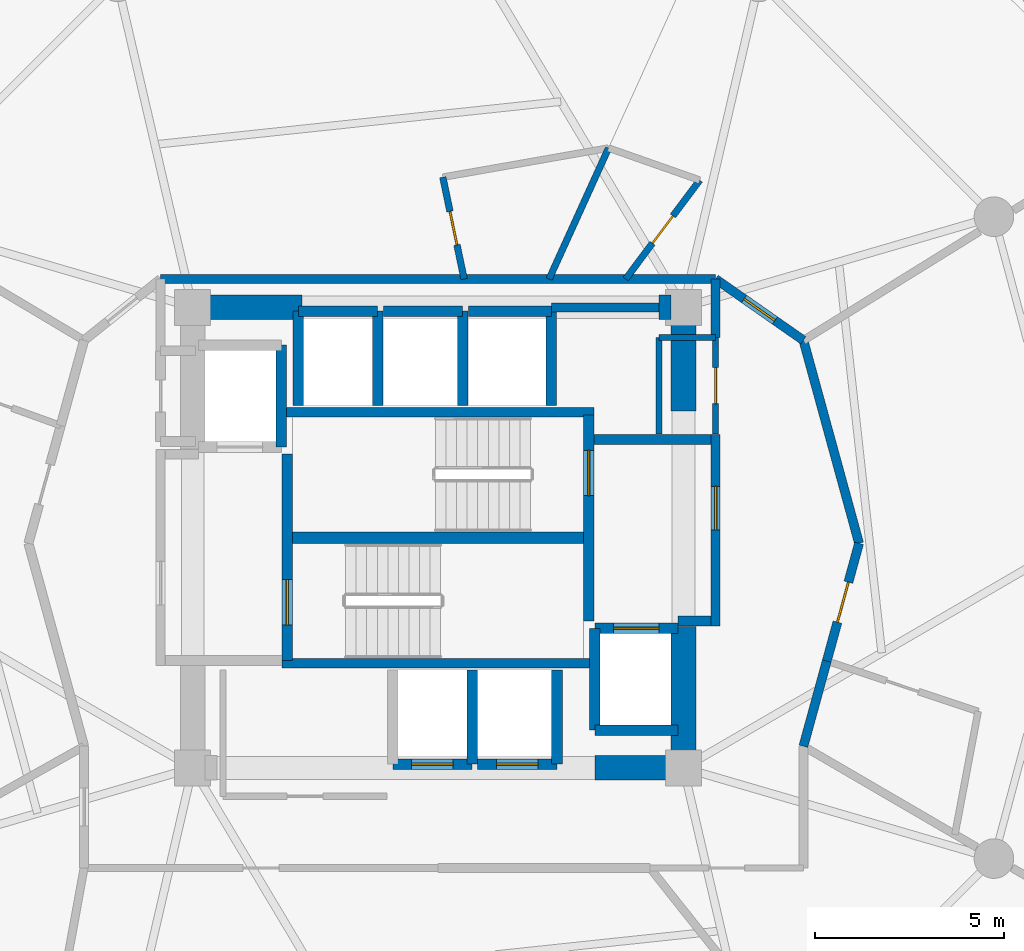
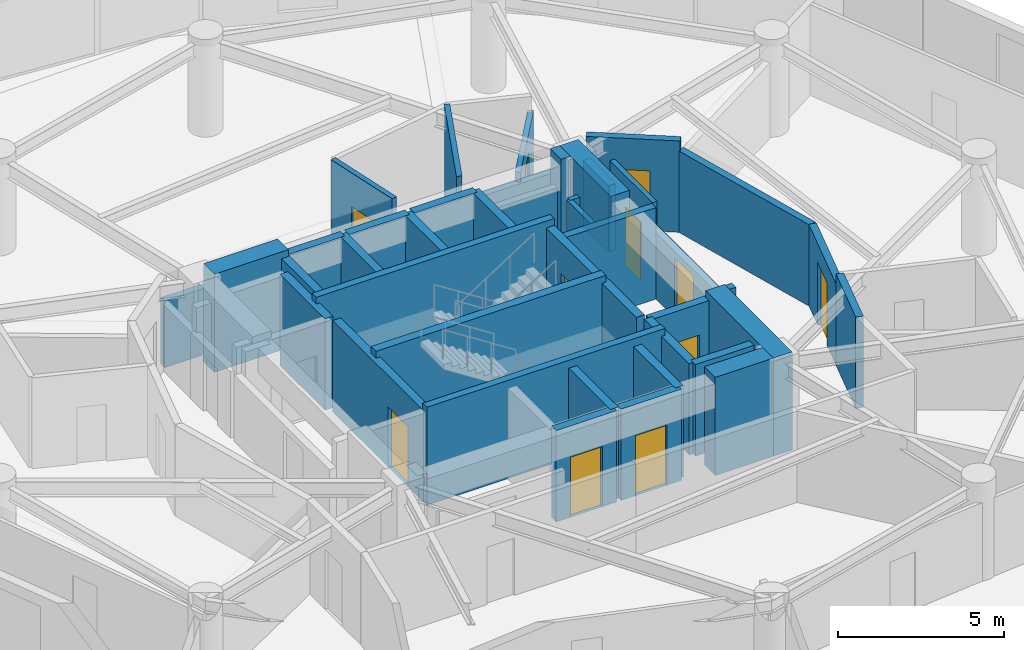
# One storey, part 19 of 22: 41 walls, 11 doors, 11 openings.
"""IFC4 building model written with IfcOpenShell, lengths in metres."""

from ifc_helpers import new_model, si_unit, direction, frame, frame_2d, origin, place, context, subcontext, project, spatial, rectangle, extrude, material, layer, layer_set, type_object, element, fill, save


model = new_model("IFC4")

# Units and contexts
model_context = context("Model", 3, precision=1e-05, world=origin(), true_north=direction((0.0, 1.0)))
body_context = subcontext(model_context, "Body", "Model", "MODEL_VIEW")
ifc_project = project(units=[si_unit("LENGTHUNIT", "METRE"), si_unit("AREAUNIT", "SQUARE_METRE"), si_unit("VOLUMEUNIT", "CUBIC_METRE"), si_unit("PLANEANGLEUNIT", "RADIAN"), si_unit("MASSUNIT", "GRAM", prefix="KILO")], contexts=[model_context])

# Site, building, storey
site_placement = place(None, origin())
site = spatial("IfcSite", under=ifc_project, at=site_placement, CompositionType="ELEMENT")
building_placement = place(site_placement, origin())
building = spatial("IfcBuilding", under=site, at=building_placement, Name="Solvirekh Grand Hotel", CompositionType="ELEMENT")
storey_placement = place(building_placement, frame((0.0, 0.0, 145.800048828125)))
storey = spatial("IfcBuildingStorey", under=building, at=storey_placement, Name="L37", CompositionType="ELEMENT", Elevation=145.800048828125)

# Walls
ifc_material_1 = material(Name="Concrete C50/60", Category="concrete")
ifc_layer_1 = layer(ifc_material_1, 0.35009765625)
ifc_layer_set_1 = layer_set([ifc_layer_1], Name="Concrete C50/60")
wall_type_1 = type_object("IfcWallType", Name="CoreDivWall_RC350", PredefinedType="SOLIDWALL", material=ifc_layer_set_1)
for number, where, z_axis, x_axis, name in (
    (1, (-4.1298828125, -3.324951171875, 0.0), (0.0, 0.0, 1.0), (1.0, 0.0, 0.0), "L37 core stair box wall ST-S"),
    (2, (-4.1298828125, 3.324951171875, 0.0), (0.0, 0.0, 1.0), (1.0, 0.0, 0.0), "L37 core stair box wall ST-N"),
):
    element("IfcWall", number, at=place(storey_placement, frame(where, z_axis=z_axis, x_axis=x_axis)), inside=storey, type_object=wall_type_1, Name=name, PredefinedType="SOLIDWALL", context=body_context, shape_type="SweptSolid", body=[
        extrude(rectangle(XDim=8.259765625, YDim=0.25, at=frame_2d((4.1298828125, 0.0))), origin(), (0.0, 0.0, 1.0), 3.599853515625),
    ])

# Wall, opening, door
ifc_material_2 = material(Name="Concrete C40/50", Category="concrete")
ifc_layer_2 = layer(ifc_material_2, 0.280029296875)
ifc_layer_set_2 = layer_set([ifc_layer_2], Name="Concrete C40/50")
wall_type_2 = type_object("IfcWallType", Name="CoreShaftWall_RC280", PredefinedType="SOLIDWALL", material=ifc_layer_set_2)
wall_1_placement = place(storey_placement, frame((-1.199951171875, -6.0, 0.0), z_axis=(0.0, 0.0, 1.0), x_axis=(1.0, 0.0, 0.0)))
wall_1 = element("IfcWall", 3, at=wall_1_placement, inside=storey, type_object=wall_type_2, Name="L37 MP-1 hoistway S wall", PredefinedType="SOLIDWALL", context=body_context, shape_type="SweptSolid", body=[
    extrude(rectangle(XDim=2.099853515625, YDim=0.280029296875, at=frame_2d((1.0498046875, 0.0))), origin(), (0.0, 0.0, 1.0), 3.349853515625),
])
opening_1_placement = place(wall_1_placement, frame((0.5, 0.0, 0.0)))
opening_1 = element("IfcOpeningElement", 4, at=opening_1_placement, cuts=wall_1, Name="Opening LD01", PredefinedType="OPENING", context=body_context, shape_type="SweptSolid", body=[
    extrude(rectangle(XDim=1.10009765625, YDim=2.199951171875, at=frame_2d((0.550048828125, 1.10009765625))), frame((0.0, 0.14990234375, 0.0), z_axis=(0.0, -1.0, 0.0), x_axis=(1.0, 0.0, 0.0)), (0.0, 0.0, 1.0), 0.300048828125),
])
ifc_material_3 = material(Name="Fire-Rated Steel Door Assembly", Category="steel")
door_type_1 = type_object("IfcDoorType", Name="Door_LiftLanding_1100X2200", OperationType="SLIDING_TO_LEFT", PredefinedType="DOOR", material=ifc_material_3)
door_1_placement = place(opening_1_placement, origin())
door_1 = element("IfcDoor", 5, at=door_1_placement, inside=storey, type_object=door_type_1, Name="L37 MP-1 sliding lift landing door", OperationType="SLIDING_TO_LEFT", OverallHeight=2.199951171875, OverallWidth=1.10009765625, PredefinedType="DOOR", context=body_context, shape_type="SweptSolid", body=[
    extrude(rectangle(XDim=1.10009765625, YDim=2.199951171875, at=frame_2d((0.550048828125, 1.10009765625))), frame((0.0, 0.02490234375, 0.0), z_axis=(0.0, -1.0, 0.0), x_axis=(1.0, 0.0, 0.0)), (0.0, 0.0, 1.0), 0.050048828125),
])
fill(opening_1, door_1)

# Wall
wall_2_placement = place(storey_placement, frame((0.89990234375, -6.0, 0.0), z_axis=(0.0, 0.0, 1.0), x_axis=(0.0, 1.0, 0.0)))
element("IfcWall", 6, at=wall_2_placement, inside=storey, type_object=wall_type_2, Name="L37 MP-1 hoistway E wall", PredefinedType="SOLIDWALL", context=body_context, shape_type="SweptSolid", body=[
    extrude(rectangle(XDim=2.5, YDim=0.280029296875, at=frame_2d((1.25, 0.0))), origin(), (0.0, 0.0, 1.0), 3.349853515625),
])

# Wall, opening, door
wall_3_placement = place(storey_placement, frame((1.050048828125, -6.0, 0.0), z_axis=(0.0, 0.0, 1.0), x_axis=(1.0, 0.0, 0.0)))
wall_3 = element("IfcWall", 7, at=wall_3_placement, inside=storey, type_object=wall_type_2, Name="L37 MP-2 hoistway S wall", PredefinedType="SOLIDWALL", context=body_context, shape_type="SweptSolid", body=[
    extrude(rectangle(XDim=2.099853515625, YDim=0.280029296875, at=frame_2d((1.0498046875, 0.0))), origin(), (0.0, 0.0, 1.0), 3.349853515625),
])
opening_2_placement = place(wall_3_placement, frame((0.5, 0.0, 0.0)))
opening_2 = element("IfcOpeningElement", 8, at=opening_2_placement, cuts=wall_3, Name="Opening LD01", PredefinedType="OPENING", context=body_context, shape_type="SweptSolid", body=[
    extrude(rectangle(XDim=1.10009765625, YDim=2.199951171875, at=frame_2d((0.550048828125, 1.10009765625))), frame((0.0, 0.14990234375, 0.0), z_axis=(0.0, -1.0, 0.0), x_axis=(1.0, 0.0, 0.0)), (0.0, 0.0, 1.0), 0.300048828125),
])
door_2_placement = place(opening_2_placement, origin())
door_2 = element("IfcDoor", 9, at=door_2_placement, inside=storey, type_object=door_type_1, Name="L37 MP-2 sliding lift landing door", OperationType="SLIDING_TO_LEFT", OverallHeight=2.199951171875, OverallWidth=1.10009765625, PredefinedType="DOOR", context=body_context, shape_type="SweptSolid", body=[
    extrude(rectangle(XDim=1.10009765625, YDim=2.199951171875, at=frame_2d((0.550048828125, 1.10009765625))), frame((0.0, 0.02490234375, 0.0), z_axis=(0.0, -1.0, 0.0), x_axis=(1.0, 0.0, 0.0)), (0.0, 0.0, 1.0), 0.050048828125),
])
fill(opening_2, door_2)

# Walls
wall_4_placement = place(storey_placement, frame((3.14990234375, -6.0, 0.0), z_axis=(0.0, 0.0, 1.0), x_axis=(0.0, 1.0, 0.0)))
element("IfcWall", 10, at=wall_4_placement, inside=storey, type_object=wall_type_2, Name="L37 MP-2 hoistway E wall", PredefinedType="SOLIDWALL", context=body_context, shape_type="SweptSolid", body=[
    extrude(rectangle(XDim=2.5, YDim=0.280029296875, at=frame_2d((1.25, 0.0))), origin(), (0.0, 0.0, 1.0), 3.349853515625),
])
wall_5_placement = place(storey_placement, frame((-1.60009765625, 6.0, 0.0), z_axis=(0.0, 0.0, 1.0), x_axis=(-1.0, 0.0, 0.0)))
element("IfcWall", 11, at=wall_5_placement, inside=storey, type_object=wall_type_2, Name="L37 HP-1 hoistway N wall", PredefinedType="SOLIDWALL", context=body_context, shape_type="SweptSolid", body=[
    extrude(rectangle(XDim=2.099853515625, YDim=0.280029296875, at=frame_2d((1.0498046875, 0.0))), origin(), (0.0, 0.0, 1.0), 3.349853515625),
])
for number, where, z_axis, x_axis, name in (
    (12, (-3.699951171875, 6.0, 0.0), (0.0, 0.0, 1.0), (0.0, -1.0, 0.0), "L37 HP-1 hoistway W wall"),
    (13, (-1.60009765625, 3.5, 0.0), (0.0, 0.0, 1.0), (0.0, 1.0, 0.0), "L37 HP-1 hoistway E wall"),
):
    element("IfcWall", number, at=place(storey_placement, frame(where, z_axis=z_axis, x_axis=x_axis)), inside=storey, type_object=wall_type_2, Name=name, PredefinedType="SOLIDWALL", context=body_context, shape_type="SweptSolid", body=[
        extrude(rectangle(XDim=2.5, YDim=0.280029296875, at=frame_2d((1.25, 0.0))), origin(), (0.0, 0.0, 1.0), 3.349853515625),
    ])
wall_6_placement = place(storey_placement, frame((0.64990234375, 6.0, 0.0), z_axis=(0.0, 0.0, 1.0), x_axis=(-1.0, 0.0, 0.0)))
element("IfcWall", 14, at=wall_6_placement, inside=storey, type_object=wall_type_2, Name="L37 HP-2 hoistway N wall", PredefinedType="SOLIDWALL", context=body_context, shape_type="SweptSolid", body=[
    extrude(rectangle(XDim=2.099853515625, YDim=0.280029296875, at=frame_2d((1.0498046875, 0.0))), origin(), (0.0, 0.0, 1.0), 3.349853515625),
])
wall_7_placement = place(storey_placement, frame((0.64990234375, 3.5, 0.0), z_axis=(0.0, 0.0, 1.0), x_axis=(0.0, 1.0, 0.0)))
element("IfcWall", 15, at=wall_7_placement, inside=storey, type_object=wall_type_2, Name="L37 HP-2 hoistway E wall", PredefinedType="SOLIDWALL", context=body_context, shape_type="SweptSolid", body=[
    extrude(rectangle(XDim=2.5, YDim=0.280029296875, at=frame_2d((1.25, 0.0))), origin(), (0.0, 0.0, 1.0), 3.349853515625),
])
wall_8_placement = place(storey_placement, frame((3.0, 6.0, 0.0), z_axis=(0.0, 0.0, 1.0), x_axis=(-1.0, 0.0, 0.0)))
element("IfcWall", 16, at=wall_8_placement, inside=storey, type_object=wall_type_2, Name="L37 EX-1 hoistway N wall", PredefinedType="SOLIDWALL", context=body_context, shape_type="SweptSolid", body=[
    extrude(rectangle(XDim=2.199951171875, YDim=0.280029296875, at=frame_2d((1.10009765625, 0.0))), origin(), (0.0, 0.0, 1.0), 3.349853515625),
])
wall_9_placement = place(storey_placement, frame((3.0, 3.5, 0.0), z_axis=(0.0, 0.0, 1.0), x_axis=(0.0, 1.0, 0.0)))
element("IfcWall", 17, at=wall_9_placement, inside=storey, type_object=wall_type_2, Name="L37 EX-1 hoistway E wall", PredefinedType="SOLIDWALL", context=body_context, shape_type="SweptSolid", body=[
    extrude(rectangle(XDim=2.5, YDim=0.280029296875, at=frame_2d((1.25, 0.0))), origin(), (0.0, 0.0, 1.0), 3.349853515625),
])
wall_10_placement = place(storey_placement, frame((-4.14990234375, 2.39990234375, 0.0), z_axis=(0.0, 0.0, 1.0), x_axis=(0.0, 1.0, 0.0)))
element("IfcWall", 18, at=wall_10_placement, inside=storey, type_object=wall_type_2, Name="L37 FL-1 hoistway E wall", PredefinedType="SOLIDWALL", context=body_context, shape_type="SweptSolid", body=[
    extrude(rectangle(XDim=2.7001953125, YDim=0.280029296875, at=frame_2d((1.35009765625, 0.0))), origin(), (0.0, 0.0, 1.0), 3.349853515625),
])
wall_11_placement = place(storey_placement, frame((4.14990234375, -5.10009765625, 0.0), z_axis=(0.0, 0.0, 1.0), x_axis=(1.0, 0.0, 0.0)))
element("IfcWall", 19, at=wall_11_placement, inside=storey, type_object=wall_type_2, Name="L37 FL-2 hoistway S wall", PredefinedType="SOLIDWALL", context=body_context, shape_type="SweptSolid", body=[
    extrude(rectangle(XDim=2.2001953125, YDim=0.280029296875, at=frame_2d((1.10009765625, 0.0))), origin(), (0.0, 0.0, 1.0), 3.349853515625),
])

# Wall, opening, door
wall_12_placement = place(storey_placement, frame((6.35009765625, -2.39990234375, 0.0), z_axis=(0.0, 0.0, 1.0), x_axis=(-1.0, 0.0, 0.0)))
wall_12 = element("IfcWall", 20, at=wall_12_placement, inside=storey, type_object=wall_type_2, Name="L37 FL-2 hoistway N wall", PredefinedType="SOLIDWALL", context=body_context, shape_type="SweptSolid", body=[
    extrude(rectangle(XDim=2.2001953125, YDim=0.280029296875, at=frame_2d((1.10009765625, 0.0))), origin(), (0.0, 0.0, 1.0), 3.349853515625),
])
opening_3_placement = place(wall_12_placement, frame((0.5, 0.0, 0.0)))
opening_3 = element("IfcOpeningElement", 21, at=opening_3_placement, cuts=wall_12, Name="Opening LD02", PredefinedType="OPENING", context=body_context, shape_type="SweptSolid", body=[
    extrude(rectangle(XDim=1.199951171875, YDim=2.199951171875, at=frame_2d((0.60009765625, 1.10009765625))), frame((0.0, 0.14990234375, 0.0), z_axis=(0.0, -1.0, 0.0), x_axis=(1.0, 0.0, 0.0)), (0.0, 0.0, 1.0), 0.300048828125),
])
door_type_2 = type_object("IfcDoorType", Name="Door_LiftFF_1200X2200", OperationType="SLIDING_TO_LEFT", PredefinedType="DOOR", material=ifc_material_3)
door_3_placement = place(opening_3_placement, origin())
door_3 = element("IfcDoor", 22, at=door_3_placement, inside=storey, type_object=door_type_2, Name="L37 FL-2 sliding lift landing door", OperationType="SLIDING_TO_LEFT", OverallHeight=2.199951171875, OverallWidth=1.199951171875, PredefinedType="DOOR", context=body_context, shape_type="SweptSolid", body=[
    extrude(rectangle(XDim=1.199951171875, YDim=2.199951171875, at=frame_2d((0.60009765625, 1.10009765625))), frame((0.0, 0.02490234375, 0.0), z_axis=(0.0, -1.0, 0.0), x_axis=(1.0, 0.0, 0.0)), (0.0, 0.0, 1.0), 0.050048828125),
])
fill(opening_3, door_3)

# Wall
wall_13_placement = place(storey_placement, frame((4.14990234375, -2.39990234375, 0.0), z_axis=(0.0, 0.0, 1.0), x_axis=(0.0, -1.0, 0.0)))
element("IfcWall", 23, at=wall_13_placement, inside=storey, type_object=wall_type_2, Name="L37 FL-2 hoistway W wall", PredefinedType="SOLIDWALL", context=body_context, shape_type="SweptSolid", body=[
    extrude(rectangle(XDim=2.7001953125, YDim=0.280029296875, at=frame_2d((1.35009765625, 0.0))), origin(), (0.0, 0.0, 1.0), 3.349853515625),
])

# Wall, opening, door
wall_14_placement = place(storey_placement, frame((-3.989990234375, -3.25, 0.0), z_axis=(0.0, 0.0, 1.0), x_axis=(0.0, 1.0, 0.0)))
wall_14 = element("IfcWall", 24, at=wall_14_placement, inside=storey, type_object=wall_type_2, Name="L37 west stair landing enclosure wall", PredefinedType="SOLIDWALL", context=body_context, shape_type="SweptSolid", body=[
    extrude(rectangle(XDim=5.4599609375, YDim=0.280029296875, at=frame_2d((2.72998046875, 0.0))), origin(), (0.0, 0.0, 1.0), 3.349853515625),
])
opening_4_placement = place(wall_14_placement, frame((0.93701171875, 0.0, 0.0)))
opening_4 = element("IfcOpeningElement", 25, at=opening_4_placement, cuts=wall_14, Name="Opening D05", PredefinedType="OPENING", context=body_context, shape_type="SweptSolid", body=[
    extrude(rectangle(XDim=1.199951171875, YDim=2.199951171875, at=frame_2d((0.60009765625, 1.10009765625))), frame((0.0, 0.14990234375, 0.0), z_axis=(0.0, -1.0, 0.0), x_axis=(1.0, 0.0, 0.0)), (0.0, 0.0, 1.0), 0.300048828125),
])
door_type_3 = type_object("IfcDoorType", Name="Door_StairCore_1200X2200", OperationType="NOTDEFINED", PredefinedType="DOOR", material=ifc_material_3)
door_4_placement = place(opening_4_placement, origin())
door_4 = element("IfcDoor", 26, at=door_4_placement, inside=storey, type_object=door_type_3, Name="L37 exit stair ST-1 fire door", OperationType="SINGLE_SWING_RIGHT", OverallHeight=2.199951171875, OverallWidth=1.199951171875, PredefinedType="DOOR", context=body_context, shape_type="SweptSolid", body=[
    extrude(rectangle(XDim=1.199951171875, YDim=2.199951171875, at=frame_2d((0.60009765625, 1.10009765625))), frame((0.0, 0.02490234375, 0.0), z_axis=(0.0, -1.0, 0.0), x_axis=(1.0, 0.0, 0.0)), (0.0, 0.0, 1.0), 0.050048828125),
])
fill(opening_4, door_4)

wall_15_placement = place(storey_placement, frame((3.989990234375, -2.2099609375, 0.0), z_axis=(0.0, 0.0, 1.0), x_axis=(0.0, 1.0, 0.0)))
wall_15 = element("IfcWall", 27, at=wall_15_placement, inside=storey, type_object=wall_type_2, Name="L37 east stair landing enclosure wall", PredefinedType="SOLIDWALL", context=body_context, shape_type="SweptSolid", body=[
    extrude(rectangle(XDim=5.4599609375, YDim=0.280029296875, at=frame_2d((2.72998046875, 0.0))), origin(), (0.0, 0.0, 1.0), 3.349853515625),
])
opening_5_placement = place(wall_15_placement, frame((3.322998046875, 0.0, 0.0)))
opening_5 = element("IfcOpeningElement", 28, at=opening_5_placement, cuts=wall_15, Name="Opening D05", PredefinedType="OPENING", context=body_context, shape_type="SweptSolid", body=[
    extrude(rectangle(XDim=1.199951171875, YDim=2.199951171875, at=frame_2d((0.60009765625, 1.10009765625))), frame((0.0, 0.14990234375, 0.0), z_axis=(0.0, -1.0, 0.0), x_axis=(1.0, 0.0, 0.0)), (0.0, 0.0, 1.0), 0.300048828125),
])
door_5_placement = place(opening_5_placement, origin())
door_5 = element("IfcDoor", 29, at=door_5_placement, inside=storey, type_object=door_type_3, Name="L37 exit stair ST-2 fire door", OperationType="SINGLE_SWING_LEFT", OverallHeight=2.199951171875, OverallWidth=1.199951171875, PredefinedType="DOOR", context=body_context, shape_type="SweptSolid", body=[
    extrude(rectangle(XDim=1.199951171875, YDim=2.199951171875, at=frame_2d((0.60009765625, 1.10009765625))), frame((0.0, 0.02490234375, 0.0), z_axis=(0.0, -1.0, 0.0), x_axis=(1.0, 0.0, 0.0)), (0.0, 0.0, 1.0), 0.050048828125),
])
fill(opening_5, door_5)

# Walls
ifc_layer_3 = layer(ifc_material_1, 0.64990234375)
ifc_layer_set_3 = layer_set([ifc_layer_3], Name="Concrete C50/60")
wall_type_3 = type_object("IfcWallType", Name="CoreWall_RC650", PredefinedType="SHEAR", material=ifc_layer_set_3)
wall_16_placement = place(storey_placement, frame((-3.989990234375, 0.0, 0.0), z_axis=(0.0, 0.0, 1.0), x_axis=(1.0, 0.0, 0.0)))
element("IfcWall", 30, at=wall_16_placement, inside=storey, type_object=wall_type_3, Name="L37 central stair-spine shear wall", PredefinedType="SHEAR", context=body_context, shape_type="SweptSolid", body=[
    extrude(rectangle(XDim=7.97998046875, YDim=0.300048828125, at=frame_2d((3.989990234375, 0.0))), origin(), (0.0, 0.0, 1.0), 3.599853515625),
])
wall_17_placement = place(storey_placement, frame((4.14990234375, -6.10009765625, 0.0), z_axis=(0.0, 0.0, 1.0), x_axis=(1.0, 0.0, 0.0)))
element("IfcWall", 31, at=wall_17_placement, inside=storey, type_object=wall_type_3, Name="L37 core corner shear wall SE-S", PredefinedType="SHEAR", context=body_context, shape_type="SweptSolid", body=[
    extrude(rectangle(XDim=2.025146484375, YDim=0.64990234375, at=frame_2d((1.0126953125, 0.0))), origin(), (0.0, 0.0, 1.0), 3.599853515625),
])
wall_18_placement = place(storey_placement, frame((-6.175048828125, 6.10009765625, 0.0), z_axis=(0.0, 0.0, 1.0), x_axis=(1.0, 0.0, 0.0)))
element("IfcWall", 32, at=wall_18_placement, inside=storey, type_object=wall_type_3, Name="L37 core corner shear wall NW-N", PredefinedType="SHEAR", context=body_context, shape_type="SweptSolid", body=[
    extrude(rectangle(XDim=2.574951171875, YDim=0.64990234375, at=frame_2d((1.28759765625, 0.0))), origin(), (0.0, 0.0, 1.0), 3.599853515625),
])
wall_19_placement = place(storey_placement, frame((5.85009765625, 6.10009765625, 0.0), z_axis=(0.0, 0.0, 1.0), x_axis=(1.0, 0.0, 0.0)))
element("IfcWall", 33, at=wall_19_placement, inside=storey, type_object=wall_type_3, Name="L37 core corner shear wall NE-N", PredefinedType="SHEAR", context=body_context, shape_type="SweptSolid", body=[
    extrude(rectangle(XDim=0.324951171875, YDim=0.64990234375, at=frame_2d((0.16259765625, 0.0))), origin(), (0.0, 0.0, 1.0), 3.599853515625),
])
wall_20_placement = place(storey_placement, frame((6.5, -6.425048828125, 0.0), z_axis=(0.0, 0.0, 1.0), x_axis=(0.0, 1.0, 0.0)))
element("IfcWall", 34, at=wall_20_placement, inside=storey, type_object=wall_type_3, Name="L37 core corner shear wall ES-E", PredefinedType="SHEAR", context=body_context, shape_type="SweptSolid", body=[
    extrude(rectangle(XDim=4.074951171875, YDim=0.64990234375, at=frame_2d((2.03759765625, 0.0))), origin(), (0.0, 0.0, 1.0), 3.599853515625),
])
wall_21_placement = place(storey_placement, frame((6.5, 3.35009765625, 0.0), z_axis=(0.0, 0.0, 1.0), x_axis=(0.0, 1.0, 0.0)))
element("IfcWall", 35, at=wall_21_placement, inside=storey, type_object=wall_type_3, Name="L37 core corner shear wall EN-E", PredefinedType="SHEAR", context=body_context, shape_type="SweptSolid", body=[
    extrude(rectangle(XDim=3.074951171875, YDim=0.64990234375, at=frame_2d((1.53759765625, 0.0))), origin(), (0.0, 0.0, 1.0), 3.599853515625),
])

# Wall, opening, door
ifc_material_4 = material(Name="Acoustic Gypsum Partition Assembly")
ifc_layer_4 = layer(ifc_material_4, 0.1650390625)
ifc_layer_set_4 = layer_set([ifc_layer_4], Name="Acoustic Gypsum Partition Assembly")
wall_type_4 = type_object("IfcWallType", Name="Part_BOH_165", PredefinedType="PARTITIONING", material=ifc_layer_set_4)
wall_22_placement = place(storey_placement, frame((7.35009765625, 2.75, 0.0), z_axis=(0.0, 0.0, 1.0), x_axis=(0.0, 1.0, 0.0)))
wall_22 = element("IfcWall", 36, at=wall_22_placement, inside=storey, type_object=wall_type_4, Name="L37 L37 Core Housekeeping & Linen Room wall 2", PredefinedType="PARTITIONING", context=body_context, shape_type="SweptSolid", body=[
    extrude(rectangle(XDim=2.550048828125, YDim=0.1650390625, at=frame_2d((1.27490234375, 0.0))), origin(), (0.0, 0.0, 1.0), 3.349853515625),
])
opening_6_placement = place(wall_22_placement, frame((0.800048828125, 0.0, 0.0)))
opening_6 = element("IfcOpeningElement", 37, at=opening_6_placement, cuts=wall_22, Name="Opening D10", PredefinedType="OPENING", context=body_context, shape_type="SweptSolid", body=[
    extrude(rectangle(XDim=0.949951171875, YDim=2.10009765625, at=frame_2d((0.47509765625, 1.050048828125))), frame((0.0, 0.092529296875, 0.0), z_axis=(0.0, -1.0, 0.0), x_axis=(1.0, 0.0, 0.0)), (0.0, 0.0, 1.0), 0.18505859375),
])
ifc_material_5 = material(Name="Anodized Bronze Aluminium 6063-T6", Category="aluminium")
door_type_4 = type_object("IfcDoorType", Name="Door_RoomInt_950X2100", OperationType="NOTDEFINED", PredefinedType="DOOR", material=ifc_material_5)
door_6_placement = place(opening_6_placement, origin())
door_6 = element("IfcDoor", 38, at=door_6_placement, inside=storey, type_object=door_type_4, Name="L37 L37 Core Housekeeping & Linen Room door", OperationType="SINGLE_SWING_LEFT", OverallHeight=2.10009765625, OverallWidth=0.949951171875, PredefinedType="DOOR", context=body_context, shape_type="SweptSolid", body=[
    extrude(rectangle(XDim=0.949951171875, YDim=2.10009765625, at=frame_2d((0.47509765625, 1.050048828125))), frame((0.0, 0.02490234375, 0.0), z_axis=(0.0, -1.0, 0.0), x_axis=(1.0, 0.0, 0.0)), (0.0, 0.0, 1.0), 0.050048828125),
])
fill(opening_6, door_6)

# Walls
wall_23_placement = place(storey_placement, frame((7.35009765625, 5.300048828125, 0.0), z_axis=(0.0, 0.0, 1.0), x_axis=(-1.0, 0.0, 0.0)))
element("IfcWall", 39, at=wall_23_placement, inside=storey, type_object=wall_type_4, Name="L37 L37 Core Housekeeping & Linen Room wall 3", PredefinedType="PARTITIONING", context=body_context, shape_type="SweptSolid", body=[
    extrude(rectangle(XDim=1.5, YDim=0.1650390625, at=frame_2d((0.75, 0.0))), origin(), (0.0, 0.0, 1.0), 2.43505859375),
])
wall_24_placement = place(storey_placement, frame((5.85009765625, 5.300048828125, 0.0), z_axis=(0.0, 0.0, 1.0), x_axis=(0.0, -1.0, 0.0)))
element("IfcWall", 40, at=wall_24_placement, inside=storey, type_object=wall_type_4, Name="L37 L37 Core Housekeeping & Linen Room wall 4", PredefinedType="PARTITIONING", context=body_context, shape_type="SweptSolid", body=[
    extrude(rectangle(XDim=2.550048828125, YDim=0.1650390625, at=frame_2d((1.27490234375, 0.0))), origin(), (0.0, 0.0, 1.0), 2.43505859375),
])

# Wall, opening, door
ifc_layer_5 = layer(ifc_material_4, 0.239990234375)
ifc_layer_set_5 = layer_set([ifc_layer_5], Name="Acoustic Gypsum Partition Assembly")
wall_type_5 = type_object("IfcWallType", Name="Part_Corridor_240", PredefinedType="PARTITIONING", material=ifc_layer_set_5)
wall_25_placement = place(storey_placement, frame((7.35009765625, -2.340087890625, 0.0), z_axis=(0.0, 0.0, 1.0), x_axis=(0.0, 1.0, 0.0)))
wall_25 = element("IfcWall", 41, at=wall_25_placement, inside=storey, type_object=wall_type_5, Name="L37 east firefighting lobby smoke screen wall", PredefinedType="PARTITIONING", context=body_context, shape_type="SweptSolid", body=[
    extrude(rectangle(XDim=5.070068359375, YDim=0.239990234375, at=frame_2d((2.53515625, 0.0))), origin(), (0.0, 0.0, 1.0), 2.43505859375),
])
opening_7_placement = place(wall_25_placement, frame((2.548095703125, 0.0, 0.0)))
opening_7 = element("IfcOpeningElement", 42, at=opening_7_placement, cuts=wall_25, Name="Opening D06", PredefinedType="OPENING", context=body_context, shape_type="SweptSolid", body=[
    extrude(rectangle(XDim=1.14990234375, YDim=2.199951171875, at=frame_2d((0.574951171875, 1.10009765625))), frame((0.0, 0.1298828125, 0.0), z_axis=(0.0, -1.0, 0.0), x_axis=(1.0, 0.0, 0.0)), (0.0, 0.0, 1.0), 0.260009765625),
])
door_type_5 = type_object("IfcDoorType", Name="Door_FFLobby_1150X2200", OperationType="NOTDEFINED", PredefinedType="DOOR", material=ifc_material_3)
door_7_placement = place(opening_7_placement, origin())
door_7 = element("IfcDoor", 43, at=door_7_placement, inside=storey, type_object=door_type_5, Name="L37 east firefighting lobby smoke door", OperationType="SINGLE_SWING_LEFT", OverallHeight=2.199951171875, OverallWidth=1.14990234375, PredefinedType="DOOR", context=body_context, shape_type="SweptSolid", body=[
    extrude(rectangle(XDim=1.14990234375, YDim=2.199951171875, at=frame_2d((0.574951171875, 1.10009765625))), frame((0.0, 0.02490234375, 0.0), z_axis=(0.0, -1.0, 0.0), x_axis=(1.0, 0.0, 0.0)), (0.0, 0.0, 1.0), 0.050048828125),
])
fill(opening_7, door_7)

# Walls
wall_26_placement = place(storey_placement, frame((-7.35009765625, 6.85009765625, 0.0), z_axis=(0.0, 0.0, 1.0), x_axis=(1.0, 0.0, 0.0)))
element("IfcWall", 44, at=wall_26_placement, inside=storey, type_object=wall_type_5, Name="L37 north core backing partition", PredefinedType="PARTITIONING", context=body_context, shape_type="SweptSolid", body=[
    extrude(rectangle(XDim=14.7001953125, YDim=0.239990234375, at=frame_2d((7.35009765625, 0.0))), origin(), (0.0, 0.0, 1.0), 2.43505859375),
])
wall_27_placement = place(storey_placement, frame((7.35009765625, 5.300048828125, 0.0), z_axis=(0.0, 0.0, 1.0), x_axis=(0.0, 1.0, 0.0)))
element("IfcWall", 45, at=wall_27_placement, inside=storey, type_object=wall_type_5, Name="L37 NE core cheek closure wall", PredefinedType="PARTITIONING", context=body_context, shape_type="SweptSolid", body=[
    extrude(rectangle(XDim=1.550048828125, YDim=0.239990234375, at=frame_2d((0.77490234375, 0.0))), origin(), (0.0, 0.0, 1.0), 2.43505859375),
])
wall_28_placement = place(storey_placement, frame((3.0, 6.10009765625, 0.0), z_axis=(0.0, 0.0, 1.0), x_axis=(1.0, 0.0, 0.0)))
element("IfcWall", 46, at=wall_28_placement, inside=storey, type_object=wall_type_5, Name="L37 north core shaft infill wall", PredefinedType="PARTITIONING", context=body_context, shape_type="SweptSolid", body=[
    extrude(rectangle(XDim=2.85009765625, YDim=0.239990234375, at=frame_2d((1.425048828125, 0.0))), origin(), (0.0, 0.0, 1.0), 2.43505859375),
])

# Wall, opening, door
wall_29_placement = place(storey_placement, frame((7.35009765625, 6.85009765625, 0.0), z_axis=(0.0, 0.0, 1.0), x_axis=(0.819753050647, -0.57271715179, 0.0)))
wall_29 = element("IfcWall", 47, at=wall_29_placement, inside=storey, type_object=wall_type_5, Name="L37 Deluxe Guestroom 3901 entrance wall", PredefinedType="PARTITIONING", context=body_context, shape_type="SweptSolid", body=[
    extrude(rectangle(XDim=2.83740234375, YDim=0.239990234375, at=frame_2d((1.418701171875, 0.0))), origin(), (0.0, 0.0, 1.0), 3.349853515625),
])
opening_8_placement = place(wall_29_placement, frame((0.9189453125, 0.0, 0.0)))
opening_8 = element("IfcOpeningElement", 48, at=opening_8_placement, cuts=wall_29, Name="Opening D07", PredefinedType="OPENING", context=body_context, shape_type="SweptSolid", body=[
    extrude(rectangle(XDim=1.0, YDim=2.199951171875, at=frame_2d((0.5, 1.10009765625))), frame((0.0, 0.1298828125, 0.0), z_axis=(0.0, -1.0, 0.0), x_axis=(1.0, 0.0, 0.0)), (0.0, 0.0, 1.0), 0.260009765625),
])
door_type_6 = type_object("IfcDoorType", Name="Door_GuestEntry_1000X2200", OperationType="NOTDEFINED", PredefinedType="DOOR", material=ifc_material_3)
door_8_placement = place(opening_8_placement, origin())
door_8 = element("IfcDoor", 49, at=door_8_placement, inside=storey, type_object=door_type_6, Name="L37 Deluxe Guestroom 3901 entrance door", OperationType="SINGLE_SWING_RIGHT", OverallHeight=2.199951171875, OverallWidth=1.0, PredefinedType="DOOR", context=body_context, shape_type="SweptSolid", body=[
    extrude(rectangle(XDim=1.0, YDim=2.199951171875, at=frame_2d((0.5, 1.10009765625))), frame((0.0, 0.02490234375, 0.0), z_axis=(0.0, -1.0, 0.0), x_axis=(1.0, 0.0, 0.0)), (0.0, 0.0, 1.0), 0.050048828125),
])
fill(opening_8, door_8)

# Walls
wall_30_placement = place(storey_placement, frame((9.676025390625, -5.52490234375, 0.0), z_axis=(0.0, 0.0, 1.0), x_axis=(0.264467775372, 0.964394522895, 0.0)))
element("IfcWall", 50, at=wall_30_placement, inside=storey, type_object=wall_type_5, Name="L37 En-suite Bathroom 3904 corridor backing wall", PredefinedType="PARTITIONING", context=body_context, shape_type="SweptSolid", body=[
    extrude(rectangle(XDim=2.340087890625, YDim=0.239990234375, at=frame_2d((1.169921875, 0.0))), origin(), (0.0, 0.0, 1.0), 3.349853515625),
])
wall_31_placement = place(storey_placement, frame((11.14990234375, -0.14990234375, 0.0), z_axis=(0.0, 0.0, 1.0), x_axis=(-0.264447801629, 0.964400000111, 0.0)))
element("IfcWall", 51, at=wall_31_placement, inside=storey, type_object=wall_type_5, Name="L37 Executive Suite 3904 Living Room corridor wall 1", PredefinedType="PARTITIONING", context=body_context, shape_type="SweptSolid", body=[
    extrude(rectangle(XDim=5.573486328125, YDim=0.239990234375, at=frame_2d((2.78662109375, 0.0))), origin(), (0.0, 0.0, 1.0), 2.98486328125),
])

# Wall, opening, door
wall_32_placement = place(storey_placement, frame((10.294921875, -3.26806640625, 0.0), z_axis=(0.0, 0.0, 1.0), x_axis=(0.264433345006, 0.96440396414, 0.0)))
wall_32 = element("IfcWall", 52, at=wall_32_placement, inside=storey, type_object=wall_type_5, Name="L37 Executive Suite 3904 Living Room entrance wall", PredefinedType="PARTITIONING", context=body_context, shape_type="SweptSolid", body=[
    extrude(rectangle(XDim=3.233154296875, YDim=0.239990234375, at=frame_2d((1.61669921875, 0.0))), origin(), (0.0, 0.0, 1.0), 2.98486328125),
])
opening_9_placement = place(wall_32_placement, frame((1.06689453125, 0.0, 0.0)))
opening_9 = element("IfcOpeningElement", 53, at=opening_9_placement, cuts=wall_32, Name="Opening D08", PredefinedType="OPENING", context=body_context, shape_type="SweptSolid", body=[
    extrude(rectangle(XDim=1.10009765625, YDim=2.300048828125, at=frame_2d((0.550048828125, 1.14990234375))), frame((0.0, 0.1298828125, 0.0), z_axis=(0.0, -1.0, 0.0), x_axis=(1.0, 0.0, 0.0)), (0.0, 0.0, 1.0), 0.260009765625),
])
door_type_7 = type_object("IfcDoorType", Name="Door_SuiteEntry_1100X2300", OperationType="NOTDEFINED", PredefinedType="DOOR", material=ifc_material_3)
door_9_placement = place(opening_9_placement, origin())
door_9 = element("IfcDoor", 54, at=door_9_placement, inside=storey, type_object=door_type_7, Name="L37 Executive Suite 3904 Living Room entrance door", OperationType="SINGLE_SWING_RIGHT", OverallHeight=2.300048828125, OverallWidth=1.10009765625, PredefinedType="DOOR", context=body_context, shape_type="SweptSolid", body=[
    extrude(rectangle(XDim=1.10009765625, YDim=2.300048828125, at=frame_2d((0.550048828125, 1.14990234375))), frame((0.0, 0.02490234375, 0.0), z_axis=(0.0, -1.0, 0.0), x_axis=(1.0, 0.0, 0.0)), (0.0, 0.0, 1.0), 0.050048828125),
])
fill(opening_9, door_9)

# Walls
ifc_layer_6 = layer(ifc_material_4, 0.260009765625)
ifc_layer_set_6 = layer_set([ifc_layer_6], Name="Acoustic Gypsum Partition Assembly")
wall_type_6 = type_object("IfcWallType", Name="Part_LobbyFF_260", PredefinedType="PARTITIONING", material=ifc_layer_set_6)
wall_33_placement = place(storey_placement, frame((6.35009765625, -2.2099609375, 0.0), z_axis=(0.0, 0.0, 1.0), x_axis=(1.0, 0.0, 0.0)))
element("IfcWall", 55, at=wall_33_placement, inside=storey, type_object=wall_type_6, Name="L37 east firefighting lobby SE cheek", PredefinedType="PARTITIONING", context=body_context, shape_type="SweptSolid", body=[
    extrude(rectangle(XDim=0.875, YDim=0.260009765625, at=frame_2d((0.4375, 0.0))), origin(), (0.0, 0.0, 1.0), 3.349853515625),
])
wall_34_placement = place(storey_placement, frame((4.1298828125, 2.60009765625, 0.0), z_axis=(0.0, 0.0, 1.0), x_axis=(1.0, 0.0, 0.0)))
element("IfcWall", 56, at=wall_34_placement, inside=storey, type_object=wall_type_6, Name="L37 east firefighting lobby north partition", PredefinedType="PARTITIONING", context=body_context, shape_type="SweptSolid", body=[
    extrude(rectangle(XDim=3.09521484375, YDim=0.260009765625, at=frame_2d((1.547607421875, 0.0))), origin(), (0.0, 0.0, 1.0), 3.349853515625),
])
ifc_layer_7 = layer(ifc_material_4, 0.175048828125)
ifc_layer_set_7 = layer_set([ifc_layer_7], Name="Acoustic Gypsum Partition Assembly")
wall_type_7 = type_object("IfcWallType", Name="Plumb_Ensuite_175", PredefinedType="PLUMBINGWALL", material=ifc_layer_set_7)
wall_35_placement = place(storey_placement, frame((4.514892578125, 10.318115234375, 0.0), z_axis=(0.0, 0.0, 1.0), x_axis=(-0.413493846923, -0.910506912965, 0.0)))
element("IfcWall", 57, at=wall_35_placement, inside=storey, type_object=wall_type_7, Name="L37 En-suite Bathroom 3901 side plumbing wall", PredefinedType="PLUMBINGWALL", context=body_context, shape_type="SweptSolid", body=[
    extrude(rectangle(XDim=3.808837890625, YDim=0.175048828125, at=frame_2d((1.904296875, 0.0))), origin(), (0.0, 0.0, 1.0), 3.349853515625),
])

# Wall, opening, door
wall_36_placement = place(storey_placement, frame((4.968994140625, 6.85009765625, 0.0), z_axis=(0.0, 0.0, 1.0), x_axis=(0.599367014453, 0.800474348112, 0.0)))
wall_36 = element("IfcWall", 58, at=wall_36_placement, inside=storey, type_object=wall_type_7, Name="L37 En-suite Bathroom 3901 entry plumbing wall", PredefinedType="PLUMBINGWALL", context=body_context, shape_type="SweptSolid", body=[
    extrude(rectangle(XDim=3.271728515625, YDim=0.175048828125, at=frame_2d((1.6357421875, 0.0))), origin(), (0.0, 0.0, 1.0), 2.791015625),
])
opening_10_placement = place(wall_36_placement, frame((1.18603515625, 0.0, 0.0)))
opening_10 = element("IfcOpeningElement", 59, at=opening_10_placement, cuts=wall_36, Name="Opening D09", PredefinedType="OPENING", context=body_context, shape_type="SweptSolid", body=[
    extrude(rectangle(XDim=0.89990234375, YDim=2.10009765625, at=frame_2d((0.449951171875, 1.050048828125))), frame((0.0, 0.09765625, 0.0), z_axis=(0.0, -1.0, 0.0), x_axis=(1.0, 0.0, 0.0)), (0.0, 0.0, 1.0), 0.195068359375),
])
door_type_8 = type_object("IfcDoorType", Name="Door_Ensuite_900X2100", OperationType="NOTDEFINED", PredefinedType="DOOR", material=ifc_material_5)
door_10_placement = place(opening_10_placement, origin())
door_10 = element("IfcDoor", 60, at=door_10_placement, inside=storey, type_object=door_type_8, Name="L37 En-suite Bathroom 3901 door", OperationType="SINGLE_SWING_LEFT", OverallHeight=2.10009765625, OverallWidth=0.89990234375, PredefinedType="DOOR", context=body_context, shape_type="SweptSolid", body=[
    extrude(rectangle(XDim=0.89990234375, YDim=2.10009765625, at=frame_2d((0.449951171875, 1.050048828125))), frame((0.0, 0.02490234375, 0.0), z_axis=(0.0, -1.0, 0.0), x_axis=(1.0, 0.0, 0.0)), (0.0, 0.0, 1.0), 0.050048828125),
])
fill(opening_10, door_10)

wall_37_placement = place(storey_placement, frame((0.1259765625, 9.547119140625, 0.0), z_axis=(0.0, 0.0, 1.0), x_axis=(0.204679557322, -0.978829034518, 0.0)))
wall_37 = element("IfcWall", 61, at=wall_37_placement, inside=storey, type_object=wall_type_7, Name="L37 En-suite Bathroom 3902 entry plumbing wall", PredefinedType="PLUMBINGWALL", context=body_context, shape_type="SweptSolid", body=[
    extrude(rectangle(XDim=2.75537109375, YDim=0.175048828125, at=frame_2d((1.377685546875, 0.0))), origin(), (0.0, 0.0, 1.0), 3.349853515625),
])
opening_11_placement = place(wall_37_placement, frame((0.927978515625, 0.0, 0.0)))
opening_11 = element("IfcOpeningElement", 62, at=opening_11_placement, cuts=wall_37, Name="Opening D09", PredefinedType="OPENING", context=body_context, shape_type="SweptSolid", body=[
    extrude(rectangle(XDim=0.89990234375, YDim=2.10009765625, at=frame_2d((0.449951171875, 1.050048828125))), frame((0.0, 0.09765625, 0.0), z_axis=(0.0, -1.0, 0.0), x_axis=(1.0, 0.0, 0.0)), (0.0, 0.0, 1.0), 0.195068359375),
])
door_11_placement = place(opening_11_placement, origin())
door_11 = element("IfcDoor", 63, at=door_11_placement, inside=storey, type_object=door_type_8, Name="L37 En-suite Bathroom 3902 door", OperationType="SINGLE_SWING_LEFT", OverallHeight=2.10009765625, OverallWidth=0.89990234375, PredefinedType="DOOR", context=body_context, shape_type="SweptSolid", body=[
    extrude(rectangle(XDim=0.89990234375, YDim=2.10009765625, at=frame_2d((0.449951171875, 1.050048828125))), frame((0.0, 0.02490234375, 0.0), z_axis=(0.0, -1.0, 0.0), x_axis=(1.0, 0.0, 0.0)), (0.0, 0.0, 1.0), 0.050048828125),
])
fill(opening_11, door_11)

save(model, "model.ifc")
